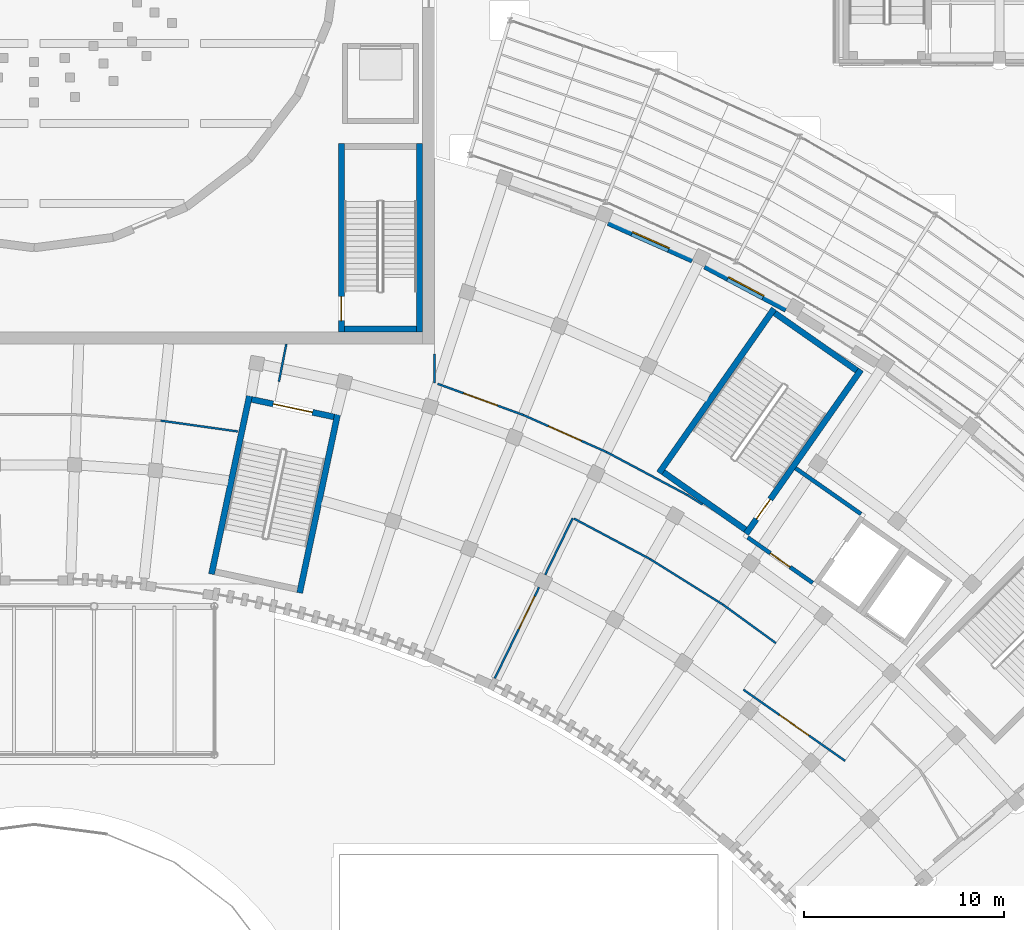
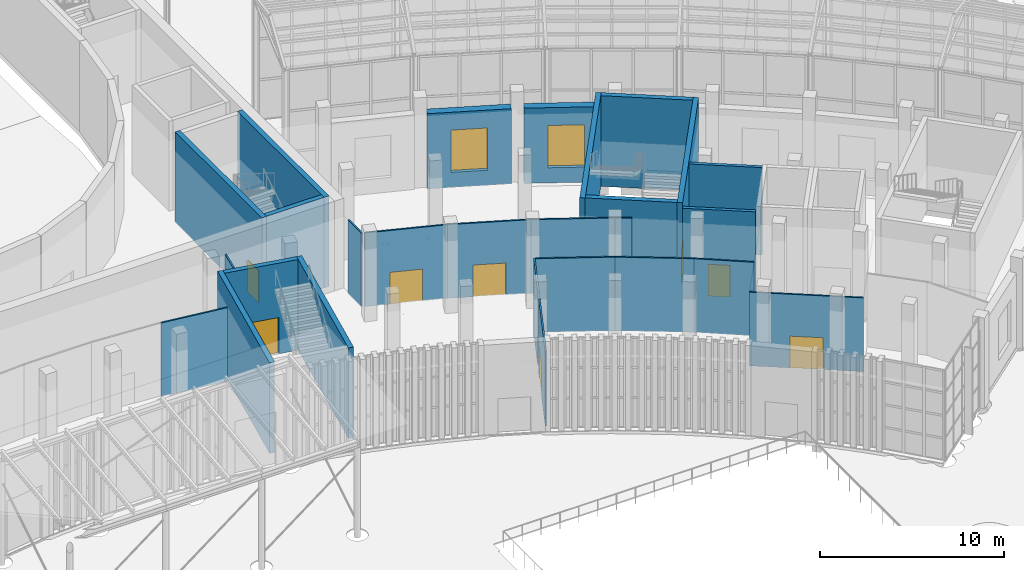
# One storey, part 93 of 155: 27 walls, 8 doors, 2 windows, 10 openings.
"""IFC4 building model written with IfcOpenShell, lengths in metres."""

from ifc_helpers import new_model, si_unit, direction, frame, frame_2d, origin, place, context, subcontext, project, spatial, rectangle, extrude, material, layer, layer_set, type_object, element, fill, save


model = new_model("IFC4")

# Units and contexts
model_context = context("Model", 3, precision=1e-05, world=origin(), true_north=direction((0.0, 1.0)))
body_context = subcontext(model_context, "Body", "Model", "MODEL_VIEW")
ifc_project = project(units=[si_unit("LENGTHUNIT", "METRE"), si_unit("AREAUNIT", "SQUARE_METRE"), si_unit("VOLUMEUNIT", "CUBIC_METRE"), si_unit("PLANEANGLEUNIT", "RADIAN"), si_unit("MASSUNIT", "GRAM", prefix="KILO")], contexts=[model_context])

# Site, building, storey
site_placement = place(None, origin())
site = spatial("IfcSite", under=ifc_project, at=site_placement, CompositionType="ELEMENT")
building_placement = place(site_placement, origin())
building = spatial("IfcBuilding", under=site, at=building_placement, Name="Lunette Opera House", CompositionType="ELEMENT")
storey_placement = place(building_placement, origin())
storey = spatial("IfcBuildingStorey", under=building, at=storey_placement, Name="L00", CompositionType="ELEMENT", Elevation=0.0)

# Wall, opening, window
ifc_material_1 = material(Name="Clinker brick", Category="masonry")
ifc_layer_1 = layer(ifc_material_1, 0.449951171875)
ifc_layer_set_1 = layer_set([ifc_layer_1], Name="Clinker brick")
wall_type_1 = type_object("IfcWallType", Name="ARM RAIN SCREEN WALL 450", PredefinedType="SOLIDWALL", material=ifc_layer_set_1)
wall_1_placement = place(storey_placement, frame((124.7060546875, 70.114990234375, 0.0), z_axis=(0.0, 0.0, 1.0), x_axis=(0.91349754212, -0.406844246045, 0.0)))
wall_1 = element("IfcWall", 1, at=wall_1_placement, inside=storey, type_object=wall_type_1, Name="Arm Rain Screen Wall 450 BW-CE02 L00", PredefinedType="SOLIDWALL", context=body_context, shape_type="SweptSolid", body=[
    extrude(rectangle(XDim=4.5888671875, YDim=0.449951171875, at=frame_2d((2.29443359375, 0.0))), origin(), (0.0, 0.0, 1.0), 4.97998046875),
])
opening_1_placement = place(wall_1_placement, frame((1.294921875, 0.0, 1.0)))
opening_1 = element("IfcOpeningElement", 2, at=opening_1_placement, cuts=wall_1, Name="Opening FC-N2145", PredefinedType="OPENING", context=body_context, shape_type="SweptSolid", body=[
    extrude(rectangle(XDim=2.0, YDim=2.800048828125, at=frame_2d((1.0, 1.39990234375))), frame((0.0, 0.237060546875, 0.0), z_axis=(0.0, -1.0, 0.0), x_axis=(1.0, 0.0, 0.0)), (0.0, 0.0, 1.0), 0.473876953125),
])
ifc_material_2 = material(Name="Aluminium", Category="aluminium")
window_type = type_object("IfcWindowType", Name="ARM WINDOW 2000 X 2800", PartitioningType="DOUBLE_PANEL_VERTICAL", PredefinedType="WINDOW", material=ifc_material_2)
window_1_placement = place(opening_1_placement, origin())
window_1 = element("IfcWindow", 3, at=window_1_placement, inside=storey, type_object=window_type, Name="Arm Window 2000 X 2800 BW-CE02 L00", OverallHeight=2.800048828125, OverallWidth=2.0, PartitioningType="DOUBLE_PANEL_VERTICAL", PredefinedType="WINDOW", context=body_context, shape_type="SweptSolid", body=[
    extrude(rectangle(XDim=2.0, YDim=2.800048828125, at=frame_2d((1.0, 1.39990234375))), frame((0.0, 0.030029296875, 0.0), z_axis=(0.0, -1.0, 0.0), x_axis=(1.0, 0.0, 0.0)), (0.0, 0.0, 1.0), 0.06005859375),
])
fill(opening_1, window_1)

wall_2_placement = place(storey_placement, frame((129.527099609375, 67.94189453125, 0.0), z_axis=(0.0, 0.0, 1.0), x_axis=(0.882920720389, -0.469522099063, 0.0)))
wall_2 = element("IfcWall", 4, at=wall_2_placement, inside=storey, type_object=wall_type_1, Name="Arm Rain Screen Wall 450 BW-CE03 L00", PredefinedType="SOLIDWALL", context=body_context, shape_type="SweptSolid", body=[
    extrude(rectangle(XDim=4.58935546875, YDim=0.449951171875, at=frame_2d((2.294677734375, 0.0))), origin(), (0.0, 0.0, 1.0), 4.97998046875),
])
opening_2_placement = place(wall_2_placement, frame((1.294921875, 0.0, 1.0)))
opening_2 = element("IfcOpeningElement", 5, at=opening_2_placement, cuts=wall_2, Name="Opening FC-N2149", PredefinedType="OPENING", context=body_context, shape_type="SweptSolid", body=[
    extrude(rectangle(XDim=2.0, YDim=2.800048828125, at=frame_2d((1.0, 1.39990234375))), frame((0.0, 0.237060546875, 0.0), z_axis=(0.0, -1.0, 0.0), x_axis=(1.0, 0.0, 0.0)), (0.0, 0.0, 1.0), 0.473876953125),
])
window_2_placement = place(opening_2_placement, origin())
window_2 = element("IfcWindow", 6, at=window_2_placement, inside=storey, type_object=window_type, Name="Arm Window 2000 X 2800 BW-CE03 L00", OverallHeight=2.800048828125, OverallWidth=2.0, PartitioningType="DOUBLE_PANEL_VERTICAL", PredefinedType="WINDOW", context=body_context, shape_type="SweptSolid", body=[
    extrude(rectangle(XDim=2.0, YDim=2.800048828125, at=frame_2d((1.0, 1.39990234375))), frame((0.0, 0.030029296875, 0.0), z_axis=(0.0, -1.0, 0.0), x_axis=(1.0, 0.0, 0.0)), (0.0, 0.0, 1.0), 0.06005859375),
])
fill(opening_2, window_2)

# Wall, opening, door
ifc_material_3 = material(Name="Concrete C35/45", Category="concrete")
ifc_layer_2 = layer(ifc_material_3, 0.199951171875)
ifc_layer_set_2 = layer_set([ifc_layer_2], Name="Concrete C35/45")
wall_type_2 = type_object("IfcWallType", Name="LOBBY WALL 200", PredefinedType="PARTITIONING", material=ifc_layer_set_2)
wall_3_placement = place(storey_placement, frame((131.632080078125, 54.340087890625, 0.0), z_axis=(0.0, 0.0, 1.0), x_axis=(0.81911891796, -0.573623742744, 0.0)))
wall_3 = element("IfcWall", 7, at=wall_3_placement, inside=storey, type_object=wall_type_2, Name="FL1 lobby wall 1a", PredefinedType="PARTITIONING", context=body_context, shape_type="SweptSolid", body=[
    extrude(rectangle(XDim=3.958984375, YDim=0.199951171875, at=frame_2d((1.9794921875, 0.0))), origin(), (0.0, 0.0, 1.0), 5.780029296875),
])
opening_3_placement = place(wall_3_placement, frame((1.3798828125, 0.0, 0.0)))
opening_3 = element("IfcOpeningElement", 8, at=opening_3_placement, cuts=wall_3, Name="Opening FC-D7038", PredefinedType="OPENING", context=body_context, shape_type="SweptSolid", body=[
    extrude(rectangle(XDim=1.199951171875, YDim=2.10009765625, at=frame_2d((0.60009765625, 1.050048828125))), frame((0.0, 0.112060546875, 0.0), z_axis=(0.0, -1.0, 0.0), x_axis=(1.0, 0.0, 0.0)), (0.0, 0.0, 1.0), 0.223876953125),
])
ifc_material_4 = material(Name="Steel", Category="steel")
door_type_1 = type_object("IfcDoorType", Name="FIRE DOOR 1200 X 2100", OperationType="SINGLE_SWING_LEFT", PredefinedType="DOOR", material=ifc_material_4)
door_1_placement = place(opening_3_placement, origin())
door_1 = element("IfcDoor", 9, at=door_1_placement, inside=storey, type_object=door_type_1, Name="FL1 lobby door", OperationType="SINGLE_SWING_LEFT", OverallHeight=2.10009765625, OverallWidth=1.199951171875, PredefinedType="DOOR", context=body_context, shape_type="SweptSolid", body=[
    extrude(rectangle(XDim=1.199951171875, YDim=2.10009765625, at=frame_2d((0.60009765625, 1.050048828125))), frame((0.0, 0.02490234375, 0.0), z_axis=(0.0, -1.0, 0.0), x_axis=(1.0, 0.0, 0.0)), (0.0, 0.0, 1.0), 0.050048828125),
])
fill(opening_3, door_1)

# Walls
wall_4_placement = place(storey_placement, frame((137.284912109375, 55.508056640625, 0.0), z_axis=(0.0, 0.0, 1.0), x_axis=(-0.819125561737, 0.573614255497, 0.0)))
element("IfcWall", 10, at=wall_4_placement, inside=storey, type_object=wall_type_2, Name="FL1 lobby wall 3a", PredefinedType="PARTITIONING", context=body_context, shape_type="SweptSolid", body=[
    extrude(rectangle(XDim=3.990478515625, YDim=0.199951171875, at=frame_2d((1.9951171875, 0.0))), origin(), (0.0, 0.0, 1.0), 5.780029296875),
])
ifc_material_5 = material(Name="Concrete C35/45", Category="concrete")
ifc_layer_3 = layer(ifc_material_5, 0.300048828125)
ifc_layer_set_3 = layer_set([ifc_layer_3], Name="Concrete C35/45")
wall_type_3 = type_object("IfcWallType", Name="RC STAIR ENCLOSURE WALL 300", PredefinedType="SOLIDWALL", material=ifc_layer_set_3)
wall_5_placement = place(storey_placement, frame((109.260986328125, 51.569091796875, 0.0), z_axis=(0.0, 0.0, 1.0), x_axis=(0.207905598736, 0.978148895626, 0.0)))
element("IfcWall", 11, at=wall_5_placement, inside=storey, type_object=wall_type_3, Name="GS2 enclosure wall 2", PredefinedType="SOLIDWALL", context=body_context, shape_type="SweptSolid", body=[
    extrude(rectangle(XDim=9.100830078125, YDim=0.300048828125, at=frame_2d((4.55029296875, 0.0))), origin(), (0.0, 0.0, 1.0), 6.0),
])

# Wall, opening, door
wall_6_placement = place(storey_placement, frame((110.97509765625, 60.35595703125, 0.0), z_axis=(0.0, 0.0, 1.0), x_axis=(-0.978155748334, 0.207873355681, 0.0)))
wall_6 = element("IfcWall", 12, at=wall_6_placement, inside=storey, type_object=wall_type_3, Name="GS2 enclosure wall 3", PredefinedType="SOLIDWALL", context=body_context, shape_type="SweptSolid", body=[
    extrude(rectangle(XDim=4.199951171875, YDim=0.300048828125, at=frame_2d((2.10009765625, 0.0))), origin(), (0.0, 0.0, 1.0), 6.0),
])
opening_4_placement = place(wall_6_placement, frame((1.10009765625, 0.0, 0.0)))
opening_4 = element("IfcOpeningElement", 13, at=opening_4_placement, cuts=wall_6, Name="Opening FC-D7004", PredefinedType="OPENING", context=body_context, shape_type="SweptSolid", body=[
    extrude(rectangle(XDim=2.0, YDim=2.39990234375, at=frame_2d((1.0, 1.199951171875))), frame((0.0, 0.162109375, 0.0), z_axis=(0.0, -1.0, 0.0), x_axis=(1.0, 0.0, 0.0)), (0.0, 0.0, 1.0), 0.323974609375),
])
ifc_material_6 = material(Name="Glass", Category="glass")
door_type_2 = type_object("IfcDoorType", Name="GRAND STAIR DOOR 2000 X 2400", OperationType="DOUBLE_DOOR_SINGLE_SWING", PredefinedType="DOOR", material=ifc_material_6)
door_2_placement = place(opening_4_placement, origin())
door_2 = element("IfcDoor", 14, at=door_2_placement, inside=storey, type_object=door_type_2, Name="GS2 stair door", OperationType="DOUBLE_DOOR_SINGLE_SWING", OverallHeight=2.39990234375, OverallWidth=2.0, PredefinedType="DOOR", context=body_context, shape_type="SweptSolid", body=[
    extrude(rectangle(XDim=2.0, YDim=2.39990234375, at=frame_2d((1.0, 1.199951171875))), frame((0.0, 0.02490234375, 0.0), z_axis=(0.0, -1.0, 0.0), x_axis=(1.0, 0.0, 0.0)), (0.0, 0.0, 1.0), 0.050048828125),
])
fill(opening_4, door_2)

# Walls
wall_7_placement = place(storey_placement, frame((106.751953125, 61.406982421875, 0.0), z_axis=(0.0, 0.0, 1.0), x_axis=(-0.207874476801, -0.978155510077, 0.0)))
element("IfcWall", 15, at=wall_7_placement, inside=storey, type_object=wall_type_3, Name="GS2 enclosure wall 4", PredefinedType="SOLIDWALL", context=body_context, shape_type="SweptSolid", body=[
    extrude(rectangle(XDim=9.100830078125, YDim=0.300048828125, at=frame_2d((4.55029296875, 0.0))), origin(), (0.0, 0.0, 1.0), 6.0),
])
wall_8_placement = place(storey_placement, frame((127.41796875, 57.595947265625, 0.0), z_axis=(0.0, 0.0, 1.0), x_axis=(0.819096538389, -0.573655698829, 0.0)))
element("IfcWall", 16, at=wall_8_placement, inside=storey, type_object=wall_type_3, Name="ST3 enclosure wall 1", PredefinedType="SOLIDWALL", context=body_context, shape_type="SweptSolid", body=[
    extrude(rectangle(XDim=4.999267578125, YDim=0.300048828125, at=frame_2d((2.49951171875, 0.0))), origin(), (0.0, 0.0, 1.0), 6.0),
])

# Wall, opening, door
wall_9_placement = place(storey_placement, frame((131.550048828125, 54.51904296875, 0.0), z_axis=(0.0, 0.0, 1.0), x_axis=(0.573563925118, 0.819160804606, 0.0)))
wall_9 = element("IfcWall", 17, at=wall_9_placement, inside=storey, type_object=wall_type_3, Name="ST3 enclosure wall 2", PredefinedType="SOLIDWALL", context=body_context, shape_type="SweptSolid", body=[
    extrude(rectangle(XDim=10.000244140625, YDim=0.300048828125, at=frame_2d((5.0, 0.0))), origin(), (0.0, 0.0, 1.0), 6.0),
])
opening_5_placement = place(wall_9_placement, frame((0.89990234375, 0.0, 0.0)))
opening_5 = element("IfcOpeningElement", 18, at=opening_5_placement, cuts=wall_9, Name="Opening FC-D7020", PredefinedType="OPENING", context=body_context, shape_type="SweptSolid", body=[
    extrude(rectangle(XDim=1.199951171875, YDim=2.10009765625, at=frame_2d((0.60009765625, 1.050048828125))), frame((0.0, 0.162109375, 0.0), z_axis=(0.0, -1.0, 0.0), x_axis=(1.0, 0.0, 0.0)), (0.0, 0.0, 1.0), 0.323974609375),
])
door_3_placement = place(opening_5_placement, origin())
door_3 = element("IfcDoor", 19, at=door_3_placement, inside=storey, type_object=door_type_1, Name="ST3 stair door", OperationType="SINGLE_SWING_LEFT", OverallHeight=2.10009765625, OverallWidth=1.199951171875, PredefinedType="DOOR", context=body_context, shape_type="SweptSolid", body=[
    extrude(rectangle(XDim=1.199951171875, YDim=2.10009765625, at=frame_2d((0.60009765625, 1.050048828125))), frame((0.0, 0.02490234375, 0.0), z_axis=(0.0, -1.0, 0.0), x_axis=(1.0, 0.0, 0.0)), (0.0, 0.0, 1.0), 0.050048828125),
])
fill(opening_5, door_3)

# Walls
wall_10_placement = place(storey_placement, frame((137.076904296875, 62.674072265625, 0.0), z_axis=(0.0, 0.0, 1.0), x_axis=(-0.819160804606, 0.573563925118, 0.0)))
element("IfcWall", 20, at=wall_10_placement, inside=storey, type_object=wall_type_3, Name="ST3 enclosure wall 3", PredefinedType="SOLIDWALL", context=body_context, shape_type="SweptSolid", body=[
    extrude(rectangle(XDim=5.000244140625, YDim=0.300048828125, at=frame_2d((2.5, 0.0))), origin(), (0.0, 0.0, 1.0), 6.0),
])
wall_11_placement = place(storey_placement, frame((132.944091796875, 65.7509765625, 0.0), z_axis=(0.0, 0.0, 1.0), x_axis=(-0.573514776444, -0.819195215563, 0.0)))
element("IfcWall", 21, at=wall_11_placement, inside=storey, type_object=wall_type_3, Name="ST3 enclosure wall 4", PredefinedType="SOLIDWALL", context=body_context, shape_type="SweptSolid", body=[
    extrude(rectangle(XDim=10.0, YDim=0.300048828125, at=frame_2d((5.0, 0.0))), origin(), (0.0, 0.0, 1.0), 6.0),
])
wall_12_placement = place(storey_placement, frame((115.25, 64.60009765625, 0.0), z_axis=(0.0, 0.0, 1.0), x_axis=(0.0, 1.0, 0.0)))
element("IfcWall", 22, at=wall_12_placement, inside=storey, type_object=wall_type_3, Name="ST8 enclosure wall 1", PredefinedType="SOLIDWALL", context=body_context, shape_type="SweptSolid", body=[
    extrude(rectangle(XDim=9.39990234375, YDim=0.300048828125, at=frame_2d((4.699951171875, 0.0))), origin(), (0.0, 0.0, 1.0), 6.0),
])

# Wall, opening, door
wall_13_placement = place(storey_placement, frame((111.35009765625, 74.0, 0.0), z_axis=(0.0, 0.0, 1.0), x_axis=(0.0, -1.0, 0.0)))
wall_13 = element("IfcWall", 23, at=wall_13_placement, inside=storey, type_object=wall_type_3, Name="ST8 enclosure wall 3", PredefinedType="SOLIDWALL", context=body_context, shape_type="SweptSolid", body=[
    extrude(rectangle(XDim=9.39990234375, YDim=0.300048828125, at=frame_2d((4.699951171875, 0.0))), origin(), (0.0, 0.0, 1.0), 6.0),
])
opening_6_placement = place(wall_13_placement, frame((7.639892578125, 0.0, 0.0)))
opening_6 = element("IfcOpeningElement", 24, at=opening_6_placement, cuts=wall_13, Name="Opening AU-D7014", PredefinedType="OPENING", context=body_context, shape_type="SweptSolid", body=[
    extrude(rectangle(XDim=1.199951171875, YDim=2.10009765625, at=frame_2d((0.60009765625, 1.050048828125))), frame((0.0, 0.162109375, 0.0), z_axis=(0.0, -1.0, 0.0), x_axis=(1.0, 0.0, 0.0)), (0.0, 0.0, 1.0), 0.323974609375),
])
door_4_placement = place(opening_6_placement, origin())
door_4 = element("IfcDoor", 25, at=door_4_placement, inside=storey, type_object=door_type_1, Name="ST8 stair door", OperationType="SINGLE_SWING_LEFT", OverallHeight=2.10009765625, OverallWidth=1.199951171875, PredefinedType="DOOR", context=body_context, shape_type="SweptSolid", body=[
    extrude(rectangle(XDim=1.199951171875, YDim=2.10009765625, at=frame_2d((0.60009765625, 1.050048828125))), frame((0.0, 0.02490234375, 0.0), z_axis=(0.0, -1.0, 0.0), x_axis=(1.0, 0.0, 0.0)), (0.0, 0.0, 1.0), 0.050048828125),
])
fill(opening_6, door_4)

# Wall
wall_14_placement = place(storey_placement, frame((111.5, 64.75, 0.0), z_axis=(0.0, 0.0, 1.0), x_axis=(1.0, 0.0, 0.0)))
element("IfcWall", 26, at=wall_14_placement, inside=storey, type_object=wall_type_3, Name="ST8 enclosure wall 4", PredefinedType="SOLIDWALL", context=body_context, shape_type="SweptSolid", body=[
    extrude(rectangle(XDim=3.60009765625, YDim=0.300048828125, at=frame_2d((1.800048828125, 0.0))), origin(), (0.0, 0.0, 1.0), 6.0),
])

# Wall, opening, door
ifc_material_7 = material(Name="Gypsum board on steel studs", Category="steel")
ifc_layer_4 = layer(ifc_material_7, 0.10009765625)
ifc_layer_set_4 = layer_set([ifc_layer_4], Name="Gypsum board on steel studs")
wall_type_4 = type_object("IfcWallType", Name="STUD PARTITION 100", PredefinedType="PARTITIONING", material=ifc_layer_set_4)
wall_15_placement = place(storey_placement, frame((119.00390625, 47.303955078125, 0.0), z_axis=(0.0, 0.0, 1.0), x_axis=(0.437360028407, 0.899286498037, 0.0)))
wall_15 = element("IfcWall", 27, at=wall_15_placement, inside=storey, type_object=wall_type_4, Name="Partition Main Foyer", PredefinedType="PARTITIONING", context=body_context, shape_type="SweptSolid", body=[
    extrude(rectangle(XDim=5.048583984375, YDim=0.10009765625, at=frame_2d((2.5244140625, 0.0))), origin(), (0.0, 0.0, 1.0), 4.8798828125),
])
opening_7_placement = place(wall_15_placement, frame((2.7470703125, 0.0, 0.0)))
opening_7 = element("IfcOpeningElement", 28, at=opening_7_placement, cuts=wall_15, Name="Opening FC-D3018", PredefinedType="OPENING", context=body_context, shape_type="SweptSolid", body=[
    extrude(rectangle(XDim=1.800048828125, YDim=2.10009765625, at=frame_2d((0.89990234375, 1.050048828125))), frame((0.0, 0.06201171875, 0.0), z_axis=(0.0, -1.0, 0.0), x_axis=(1.0, 0.0, 0.0)), (0.0, 0.0, 1.0), 0.1240234375),
])
ifc_material_8 = material(Name="Timber", Category="wood")
door_type_3 = type_object("IfcDoorType", Name="DOUBLE FLUSH DOOR 1800 X 2100", OperationType="DOUBLE_DOOR_SINGLE_SWING", PredefinedType="DOOR", material=ifc_material_8)
door_5_placement = place(opening_7_placement, origin())
door_5 = element("IfcDoor", 29, at=door_5_placement, inside=storey, type_object=door_type_3, Name="Cafe door", OperationType="DOUBLE_DOOR_SINGLE_SWING", OverallHeight=2.10009765625, OverallWidth=1.800048828125, PredefinedType="DOOR", context=body_context, shape_type="SweptSolid", body=[
    extrude(rectangle(XDim=1.800048828125, YDim=2.10009765625, at=frame_2d((0.89990234375, 1.050048828125))), frame((0.0, 0.02490234375, 0.0), z_axis=(0.0, -1.0, 0.0), x_axis=(1.0, 0.0, 0.0)), (0.0, 0.0, 1.0), 0.050048828125),
])
fill(opening_7, door_5)

# Wall
wall_16_placement = place(storey_placement, frame((121.51904296875, 52.47509765625, 0.0), z_axis=(0.0, 0.0, 1.0), x_axis=(0.437285969923, 0.899322511955, 0.0)))
element("IfcWall", 30, at=wall_16_placement, inside=storey, type_object=wall_type_4, Name="Partition Main Foyer", PredefinedType="PARTITIONING", context=body_context, shape_type="SweptSolid", body=[
    extrude(rectangle(XDim=3.146728515625, YDim=0.10009765625, at=frame_2d((1.5732421875, 0.0))), origin(), (0.0, 0.0, 1.0), 4.8798828125),
])

# Wall, opening, door
wall_17_placement = place(storey_placement, frame((131.4140625, 46.739990234375, 0.0), z_axis=(0.0, 0.0, 1.0), x_axis=(0.81912644488, -0.573612994359, 0.0)))
wall_17 = element("IfcWall", 31, at=wall_17_placement, inside=storey, type_object=wall_type_4, Name="Partition Open Lift Lobby East", PredefinedType="PARTITIONING", context=body_context, shape_type="SweptSolid", body=[
    extrude(rectangle(XDim=6.19921875, YDim=0.10009765625, at=frame_2d((3.099609375, 0.0))), origin(), (0.0, 0.0, 1.0), 4.8798828125),
])
opening_8_placement = place(wall_17_placement, frame((2.199951171875, 0.0, 0.0)))
opening_8 = element("IfcOpeningElement", 32, at=opening_8_placement, cuts=wall_17, Name="Opening FC-D3019", PredefinedType="OPENING", context=body_context, shape_type="SweptSolid", body=[
    extrude(rectangle(XDim=1.800048828125, YDim=2.10009765625, at=frame_2d((0.89990234375, 1.050048828125))), frame((0.0, 0.06201171875, 0.0), z_axis=(0.0, -1.0, 0.0), x_axis=(1.0, 0.0, 0.0)), (0.0, 0.0, 1.0), 0.1240234375),
])
door_6_placement = place(opening_8_placement, origin())
door_6 = element("IfcDoor", 33, at=door_6_placement, inside=storey, type_object=door_type_3, Name="Cafe door", OperationType="DOUBLE_DOOR_SINGLE_SWING", OverallHeight=2.10009765625, OverallWidth=1.800048828125, PredefinedType="DOOR", context=body_context, shape_type="SweptSolid", body=[
    extrude(rectangle(XDim=1.800048828125, YDim=2.10009765625, at=frame_2d((0.89990234375, 1.050048828125))), frame((0.0, 0.02490234375, 0.0), z_axis=(0.0, -1.0, 0.0), x_axis=(1.0, 0.0, 0.0)), (0.0, 0.0, 1.0), 0.050048828125),
])
fill(opening_8, door_6)

wall_18_placement = place(storey_placement, frame((124.58203125, 58.60107421875, 0.0), z_axis=(0.0, 0.0, 1.0), x_axis=(-0.91357913429, 0.406660995658, 0.0)))
wall_18 = element("IfcWall", 34, at=wall_18_placement, inside=storey, type_object=wall_type_4, Name="Partition Main Foyer", PredefinedType="PARTITIONING", context=body_context, shape_type="SweptSolid", body=[
    extrude(rectangle(XDim=4.55126953125, YDim=0.10009765625, at=frame_2d((2.275634765625, 0.0))), origin(), (0.0, 0.0, 1.0), 4.8798828125),
])
opening_9_placement = place(wall_18_placement, frame((1.3759765625, 0.0, 0.0)))
opening_9 = element("IfcOpeningElement", 35, at=opening_9_placement, cuts=wall_18, Name="Opening FC-D3016", PredefinedType="OPENING", context=body_context, shape_type="SweptSolid", body=[
    extrude(rectangle(XDim=1.800048828125, YDim=2.10009765625, at=frame_2d((0.89990234375, 1.050048828125))), frame((0.0, 0.06201171875, 0.0), z_axis=(0.0, -1.0, 0.0), x_axis=(1.0, 0.0, 0.0)), (0.0, 0.0, 1.0), 0.1240234375),
])
door_7_placement = place(opening_9_placement, origin())
door_7 = element("IfcDoor", 36, at=door_7_placement, inside=storey, type_object=door_type_3, Name="Opera Shop door", OperationType="DOUBLE_DOOR_SINGLE_SWING", OverallHeight=2.10009765625, OverallWidth=1.800048828125, PredefinedType="DOOR", context=body_context, shape_type="SweptSolid", body=[
    extrude(rectangle(XDim=1.800048828125, YDim=2.10009765625, at=frame_2d((0.89990234375, 1.050048828125))), frame((0.0, 0.02490234375, 0.0), z_axis=(0.0, -1.0, 0.0), x_axis=(1.0, 0.0, 0.0)), (0.0, 0.0, 1.0), 0.050048828125),
])
fill(opening_9, door_7)

wall_19_placement = place(storey_placement, frame((120.424072265625, 60.451904296875, 0.0), z_axis=(0.0, 0.0, 1.0), x_axis=(-0.939639825715, 0.342165161771, 0.0)))
wall_19 = element("IfcWall", 37, at=wall_19_placement, inside=storey, type_object=wall_type_4, Name="Partition Main Foyer", PredefinedType="PARTITIONING", context=body_context, shape_type="SweptSolid", body=[
    extrude(rectangle(XDim=4.55078125, YDim=0.10009765625, at=frame_2d((2.275390625, 0.0))), origin(), (0.0, 0.0, 1.0), 4.8798828125),
])
opening_10_placement = place(wall_19_placement, frame((1.375, 0.0, 0.0)))
opening_10 = element("IfcOpeningElement", 38, at=opening_10_placement, cuts=wall_19, Name="Opening FC-D3017", PredefinedType="OPENING", context=body_context, shape_type="SweptSolid", body=[
    extrude(rectangle(XDim=1.800048828125, YDim=2.10009765625, at=frame_2d((0.89990234375, 1.050048828125))), frame((0.0, 0.06201171875, 0.0), z_axis=(0.0, -1.0, 0.0), x_axis=(1.0, 0.0, 0.0)), (0.0, 0.0, 1.0), 0.1240234375),
])
door_8_placement = place(opening_10_placement, origin())
door_8 = element("IfcDoor", 39, at=door_8_placement, inside=storey, type_object=door_type_3, Name="Opera Shop door", OperationType="DOUBLE_DOOR_SINGLE_SWING", OverallHeight=2.10009765625, OverallWidth=1.800048828125, PredefinedType="DOOR", context=body_context, shape_type="SweptSolid", body=[
    extrude(rectangle(XDim=1.800048828125, YDim=2.10009765625, at=frame_2d((0.89990234375, 1.050048828125))), frame((0.0, 0.02490234375, 0.0), z_axis=(0.0, -1.0, 0.0), x_axis=(1.0, 0.0, 0.0)), (0.0, 0.0, 1.0), 0.050048828125),
])
fill(opening_10, door_8)

# Walls
wall_20_placement = place(storey_placement, frame((128.60009765625, 56.465087890625, 0.0), z_axis=(0.0, 0.0, 1.0), x_axis=(-0.882989262106, 0.469393185938, 0.0)))
element("IfcWall", 40, at=wall_20_placement, inside=storey, type_object=wall_type_4, Name="Partition Main Foyer", PredefinedType="PARTITIONING", context=body_context, shape_type="SweptSolid", body=[
    extrude(rectangle(XDim=4.550537109375, YDim=0.10009765625, at=frame_2d((2.275390625, 0.0))), origin(), (0.0, 0.0, 1.0), 4.8798828125),
])
for number, where, z_axis, x_axis, name in (
    (41, (126.75, 53.260986328125, 0.0), (0.0, 0.0, 1.0), (0.848001499411, -0.52999382732, 0.0), "Partition Main Foyer"),
    (42, (122.9599609375, 55.27587890625, 0.0), (0.0, 0.0, 1.0), (0.882977232612, -0.469415814271, 0.0), "Partition Main Foyer"),
):
    element("IfcWall", number, at=place(storey_placement, frame(where, z_axis=z_axis, x_axis=x_axis)), inside=storey, type_object=wall_type_4, Name=name, PredefinedType="PARTITIONING", context=body_context, shape_type="SweptSolid", body=[
        extrude(rectangle(XDim=4.292236328125, YDim=0.10009765625, at=frame_2d((2.14599609375, 0.0))), origin(), (0.0, 0.0, 1.0), 4.8798828125),
    ])
wall_21_placement = place(storey_placement, frame((102.323974609375, 60.1689453125, 0.0), z_axis=(0.0, 0.0, 1.0), x_axis=(0.990245330959, -0.139334792902, 0.0)))
element("IfcWall", 43, at=wall_21_placement, inside=storey, type_object=wall_type_4, Name="Partition Stalls Entrance Hall", PredefinedType="PARTITIONING", context=body_context, shape_type="SweptSolid", body=[
    extrude(rectangle(XDim=3.8828125, YDim=0.10009765625, at=frame_2d((1.94140625, 0.0))), origin(), (0.0, 0.0, 1.0), 4.8798828125),
])
wall_22_placement = place(storey_placement, frame((130.389892578125, 50.986083984375, 0.0), z_axis=(0.0, 0.0, 1.0), x_axis=(0.808971364307, -0.587848051567, 0.0)))
element("IfcWall", 44, at=wall_22_placement, inside=storey, type_object=wall_type_4, Name="Partition Main Foyer", PredefinedType="PARTITIONING", context=body_context, shape_type="SweptSolid", body=[
    extrude(rectangle(XDim=3.274658203125, YDim=0.10009765625, at=frame_2d((1.63720703125, 0.0))), origin(), (0.0, 0.0, 1.0), 4.8798828125),
])
wall_23_placement = place(storey_placement, frame((108.22607421875, 62.115966796875, 0.0), z_axis=(0.0, 0.0, 1.0), x_axis=(0.193228646848, 0.981153754535, 0.0)))
element("IfcWall", 45, at=wall_23_placement, inside=storey, type_object=wall_type_4, Name="Partition Stalls Entrance Hall", PredefinedType="PARTITIONING", context=body_context, shape_type="SweptSolid", body=[
    extrude(rectangle(XDim=1.919189453125, YDim=0.10009765625, at=frame_2d((0.95947265625, 0.0))), origin(), (0.0, 0.0, 1.0), 4.8798828125),
])
wall_24_placement = place(storey_placement, frame((116.0, 62.051025390625, 0.0), z_axis=(0.0, 0.0, 1.0), x_axis=(0.0, 1.0, 0.0)))
element("IfcWall", 46, at=wall_24_placement, inside=storey, type_object=wall_type_4, Name="Partition Main Foyer", PredefinedType="PARTITIONING", context=body_context, shape_type="SweptSolid", body=[
    extrude(rectangle(XDim=1.448974609375, YDim=0.10009765625, at=frame_2d((0.724609375, 0.0))), origin(), (0.0, 0.0, 1.0), 4.8798828125),
])
wall_25_placement = place(storey_placement, frame((129.381103515625, 55.97705078125, 0.0), z_axis=(0.0, 0.0, 1.0), x_axis=(-0.848042980139, 0.529927451484, 0.0)))
element("IfcWall", 47, at=wall_25_placement, inside=storey, type_object=wall_type_4, Name="Partition Main Foyer", PredefinedType="PARTITIONING", context=body_context, shape_type="SweptSolid", body=[
    extrude(rectangle(XDim=0.9208984375, YDim=0.10009765625, at=frame_2d((0.46044921875, 0.0))), origin(), (0.0, 0.0, 1.0), 4.8798828125),
])

save(model, "model.ifc")
